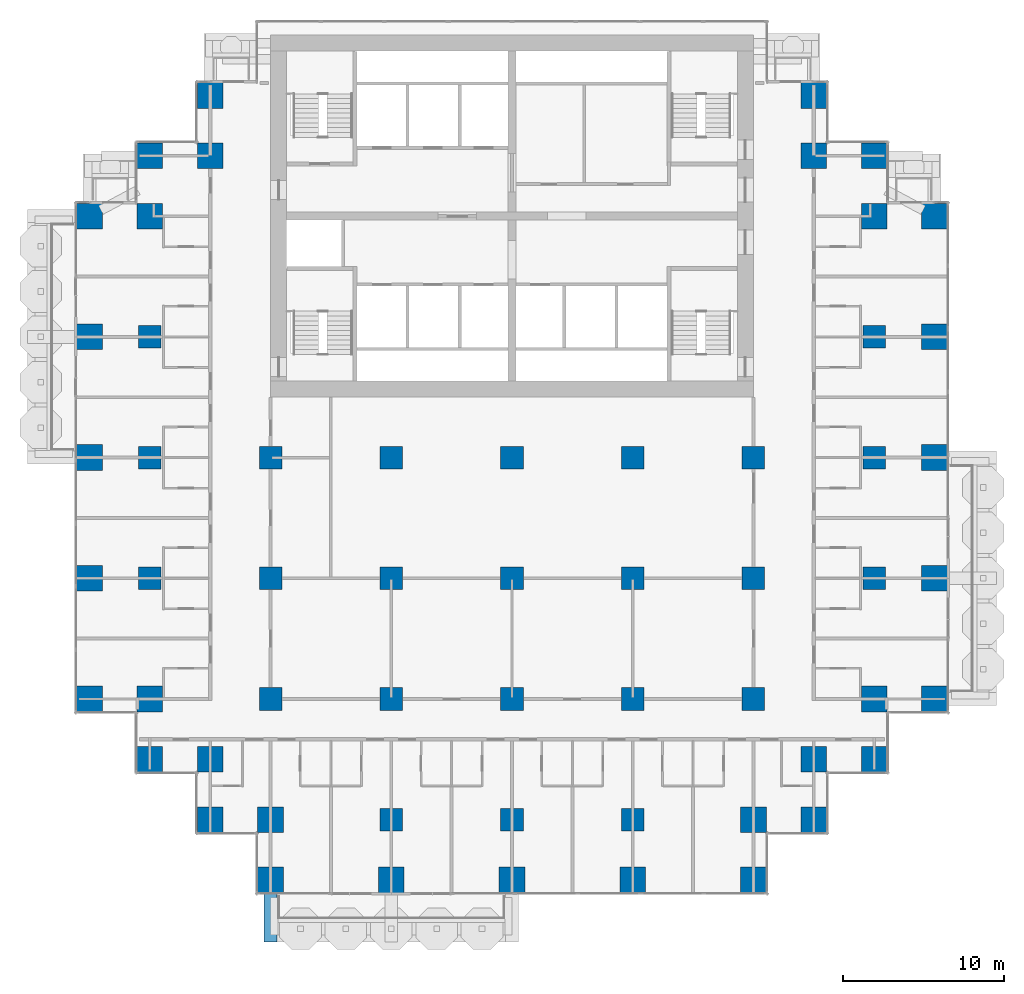
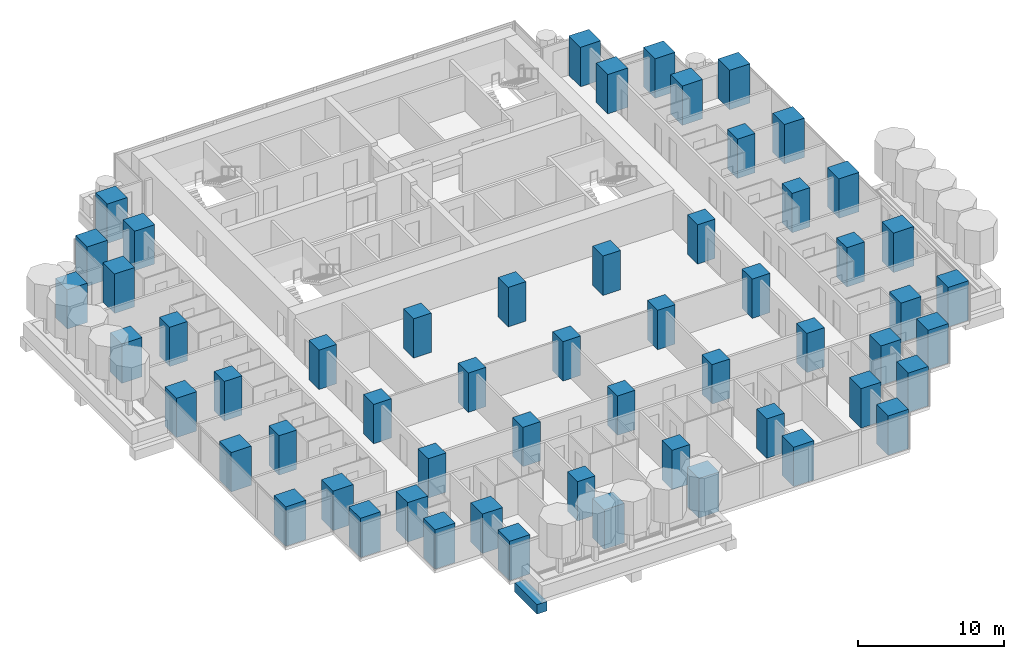
# One storey, part 1 of 18: 57 columns, 1 beam.
"""IFC4 building model written with IfcOpenShell, lengths in metres."""

from ifc_helpers import new_model, si_unit, direction, frame, origin, origin_2d, place, context, subcontext, project, spatial, rectangle, extrude, material, material_profile, profile_set, type_object, element, save


model = new_model("IFC4")

# Units and contexts
model_context = context("Model", 3, precision=1e-05, world=origin(), true_north=direction((0.0, 1.0)))
body_context = subcontext(model_context, "Body", "Model", "MODEL_VIEW")
ifc_project = project(units=[si_unit("LENGTHUNIT", "METRE"), si_unit("AREAUNIT", "SQUARE_METRE"), si_unit("VOLUMEUNIT", "CUBIC_METRE"), si_unit("PLANEANGLEUNIT", "RADIAN"), si_unit("MASSUNIT", "GRAM", prefix="KILO")], contexts=[model_context])

# Site, building, storey
site_placement = place(None, origin())
site = spatial("IfcSite", under=ifc_project, at=site_placement, CompositionType="ELEMENT")
building_placement = place(site_placement, origin())
building = spatial("IfcBuilding", under=site, at=building_placement, Name="Pilkhan Gate Tower", CompositionType="ELEMENT")
storey_placement = place(building_placement, frame((0.0, 0.0, 42.800048828125)))
storey = spatial("IfcBuildingStorey", under=building, at=storey_placement, Name="L07", CompositionType="ELEMENT", Elevation=42.800048828125)

# Columns
ifc_material_1 = material(Name="Concrete C70/85", Category="concrete")
ifc_material_profile_1 = material_profile(ifc_material_1, rectangle(XDim=1.39990234375, YDim=1.39990234375, at=origin_2d()), Name="RC 1400x1400")
ifc_profile_set_1 = profile_set([ifc_material_profile_1], Name="Concrete C70/85")
column_type_1 = type_object("IfcColumnType", Name="Column C140 RC 1400x1400 C70/85", PredefinedType="COLUMN", material=ifc_profile_set_1)
for number, where, z_axis, x_axis, name in (
    (1, (52.5, 60.0, 0.0), (0.0, 0.0, 1.0), (1.0, 0.0, 0.0), "Column 5/F L07"),
    (2, (52.5, 67.5, 0.0), (0.0, 0.0, 1.0), (1.0, 0.0, 0.0), "Column 5/H L07"),
    (3, (52.5, 75.0, 0.0), (0.0, 0.0, 1.0), (1.0, 0.0, 0.0), "Column 5/K L07"),
    (4, (60.0, 52.5, 0.0), (0.0, 0.0, 1.0), (1.0, 0.0, 0.0), "Column 7/D L07"),
    (5, (60.0, 60.0, 0.0), (0.0, 0.0, 1.0), (1.0, 0.0, 0.0), "Column 7/F L07"),
    (6, (60.0, 67.5, 0.0), (0.0, 0.0, 1.0), (1.0, 0.0, 0.0), "Column 7/H L07"),
    (7, (67.5, 45.0, 0.0), (0.0, 0.0, 1.0), (1.0, 0.0, 0.0), "Column 9/B L07"),
    (8, (67.5, 52.5, 0.0), (0.0, 0.0, 1.0), (1.0, 0.0, 0.0), "Column 9/D L07"),
    (9, (67.5, 60.0, 0.0), (0.0, 0.0, 1.0), (1.0, 0.0, 0.0), "Column 9/F L07"),
    (10, (67.5, 67.5, 0.0), (0.0, 0.0, 1.0), (1.0, 0.0, 0.0), "Column 9/H L07"),
    (11, (75.0, 45.0, 0.0), (0.0, 0.0, 1.0), (1.0, 0.0, 0.0), "Column 11/B L07"),
    (12, (75.0, 52.5, 0.0), (0.0, 0.0, 1.0), (1.0, 0.0, 0.0), "Column 11/D L07"),
    (13, (75.0, 60.0, 0.0), (0.0, 0.0, 1.0), (1.0, 0.0, 0.0), "Column 11/F L07"),
    (14, (75.0, 67.5, 0.0), (0.0, 0.0, 1.0), (1.0, 0.0, 0.0), "Column 11/H L07"),
    (15, (82.5, 45.0, 0.0), (0.0, 0.0, 1.0), (1.0, 0.0, 0.0), "Column 13/B L07"),
    (16, (82.5, 52.5, 0.0), (0.0, 0.0, 1.0), (1.0, 0.0, 0.0), "Column 13/D L07"),
    (17, (82.5, 60.0, 0.0), (0.0, 0.0, 1.0), (1.0, 0.0, 0.0), "Column 13/F L07"),
    (18, (82.5, 67.5, 0.0), (0.0, 0.0, 1.0), (1.0, 0.0, 0.0), "Column 13/H L07"),
    (19, (90.0, 52.5, 0.0), (0.0, 0.0, 1.0), (1.0, 0.0, 0.0), "Column 15/D L07"),
    (20, (90.0, 60.0, 0.0), (0.0, 0.0, 1.0), (1.0, 0.0, 0.0), "Column 15/F L07"),
    (21, (90.0, 67.5, 0.0), (0.0, 0.0, 1.0), (1.0, 0.0, 0.0), "Column 15/H L07"),
    (22, (97.5, 60.0, 0.0), (0.0, 0.0, 1.0), (1.0, 0.0, 0.0), "Column 17/F L07"),
    (23, (97.5, 67.5, 0.0), (0.0, 0.0, 1.0), (1.0, 0.0, 0.0), "Column 17/H L07"),
    (24, (97.5, 75.0, 0.0), (0.0, 0.0, 1.0), (1.0, 0.0, 0.0), "Column 17/K L07"),
):
    element("IfcColumn", number, at=place(storey_placement, frame(where, z_axis=z_axis, x_axis=x_axis)), inside=storey, type_object=column_type_1, Name=name, PredefinedType="COLUMN", context=body_context, shape_type="SweptSolid", body=[
        extrude(rectangle(XDim=1.39990234375, YDim=1.39990234375, at=origin_2d()), origin(), (0.0, 0.0, 1.0), 3.300048828125),
    ])
ifc_material_profile_2 = material_profile(ifc_material_1, rectangle(XDim=1.60009765625, YDim=1.60009765625, at=origin_2d()), Name="RC 1600x1600")
ifc_profile_set_2 = profile_set([ifc_material_profile_2], Name="Concrete C70/85")
column_type_2 = type_object("IfcColumnType", Name="Column C160 RC 1600x1600 C70/85", PredefinedType="COLUMN", material=ifc_profile_set_2)
for number, where, z_axis, x_axis, name in (
    (25, (48.75, 52.5, 0.0), (0.0, 0.0, 1.0), (1.0, 0.0, 0.0), "Column 4/D L07"),
    (26, (48.75, 60.0, 0.0), (0.0, 0.0, 1.0), (1.0, 0.0, 0.0), "Column 4/F L07"),
    (27, (48.75, 67.5, 0.0), (0.0, 0.0, 1.0), (1.0, 0.0, 0.0), "Column 4/H L07"),
    (28, (48.75, 75.0, 0.0), (0.0, 0.0, 1.0), (1.0, 0.0, 0.0), "Column 4/K L07"),
    (29, (48.75, 82.5, 0.0), (0.0, 0.0, 1.0), (1.0, 0.0, 0.0), "Column 4/M L07"),
    (30, (52.5, 48.75, 0.0), (0.0, 0.0, 1.0), (1.0, 0.0, 0.0), "Column 5/C L07"),
    (31, (52.5, 52.5, 0.0), (0.0, 0.0, 1.0), (1.0, 0.0, 0.0), "Column 5/D L07"),
    (32, (52.5, 82.5, 0.0), (0.0, 0.0, 1.0), (1.0, 0.0, 0.0), "Column 5/M L07"),
    (33, (52.5, 86.25, 0.0), (0.0, 0.0, 1.0), (1.0, 0.0, 0.0), "Column 5/N L07"),
    (34, (56.25, 45.0, 0.0), (0.0, 0.0, 1.0), (1.0, 0.0, 0.0), "Column 6/B L07"),
    (35, (56.25, 48.75, 0.0), (0.0, 0.0, 1.0), (1.0, 0.0, 0.0), "Column 6/C L07"),
    (36, (56.25, 86.25, 0.0), (0.0, 0.0, 1.0), (1.0, 0.0, 0.0), "Column 6/N L07"),
    (37, (56.25, 90.0, 0.0), (0.0, 0.0, 1.0), (1.0, 0.0, 0.0), "Column 6/P L07"),
    (38, (60.0, 41.25, 0.0), (0.0, 0.0, 1.0), (1.0, 0.0, 0.0), "Column 7/A L07"),
    (39, (60.0, 45.0, 0.0), (0.0, 0.0, 1.0), (1.0, 0.0, 0.0), "Column 7/B L07"),
    (40, (67.5, 41.25, 0.0), (0.0, 0.0, 1.0), (1.0, 0.0, 0.0), "Column 9/A L07"),
    (41, (75.0, 41.25, 0.0), (0.0, 0.0, 1.0), (1.0, 0.0, 0.0), "Column 11/A L07"),
    (42, (82.5, 41.25, 0.0), (0.0, 0.0, 1.0), (1.0, 0.0, 0.0), "Column 13/A L07"),
    (43, (90.0, 41.25, 0.0), (0.0, 0.0, 1.0), (1.0, 0.0, 0.0), "Column 15/A L07"),
    (44, (90.0, 45.0, 0.0), (0.0, 0.0, 1.0), (1.0, 0.0, 0.0), "Column 15/B L07"),
    (45, (93.75, 45.0, 0.0), (0.0, 0.0, 1.0), (1.0, 0.0, 0.0), "Column 16/B L07"),
    (46, (93.75, 48.75, 0.0), (0.0, 0.0, 1.0), (1.0, 0.0, 0.0), "Column 16/C L07"),
    (47, (93.75, 86.25, 0.0), (0.0, 0.0, 1.0), (1.0, 0.0, 0.0), "Column 16/N L07"),
    (48, (93.75, 90.0, 0.0), (0.0, 0.0, 1.0), (1.0, 0.0, 0.0), "Column 16/P L07"),
    (49, (97.5, 48.75, 0.0), (0.0, 0.0, 1.0), (1.0, 0.0, 0.0), "Column 17/C L07"),
    (50, (97.5, 52.5, 0.0), (0.0, 0.0, 1.0), (1.0, 0.0, 0.0), "Column 17/D L07"),
    (51, (97.5, 82.5, 0.0), (0.0, 0.0, 1.0), (1.0, 0.0, 0.0), "Column 17/M L07"),
    (52, (97.5, 86.25, 0.0), (0.0, 0.0, 1.0), (1.0, 0.0, 0.0), "Column 17/N L07"),
    (53, (101.25, 52.5, 0.0), (0.0, 0.0, 1.0), (1.0, 0.0, 0.0), "Column 18/D L07"),
    (54, (101.25, 60.0, 0.0), (0.0, 0.0, 1.0), (1.0, 0.0, 0.0), "Column 18/F L07"),
    (55, (101.25, 67.5, 0.0), (0.0, 0.0, 1.0), (1.0, 0.0, 0.0), "Column 18/H L07"),
    (56, (101.25, 75.0, 0.0), (0.0, 0.0, 1.0), (1.0, 0.0, 0.0), "Column 18/K L07"),
    (57, (101.25, 82.5, 0.0), (0.0, 0.0, 1.0), (1.0, 0.0, 0.0), "Column 18/M L07"),
):
    element("IfcColumn", number, at=place(storey_placement, frame(where, z_axis=z_axis, x_axis=x_axis)), inside=storey, type_object=column_type_2, Name=name, PredefinedType="COLUMN", context=body_context, shape_type="SweptSolid", body=[
        extrude(rectangle(XDim=1.60009765625, YDim=1.60009765625, at=origin_2d()), origin(), (0.0, 0.0, 1.0), 3.300048828125),
    ])

# Beam
ifc_material_2 = material(Name="Concrete C50/60", Category="concrete")
ifc_material_profile_3 = material_profile(ifc_material_2, rectangle(XDim=0.800048828125, YDim=0.800048828125, at=origin_2d()), Name="RC 800x800")
ifc_profile_set_3 = profile_set([ifc_material_profile_3], Name="Concrete C50/60")
beam_type = type_object("IfcBeamType", Name="Cantilever beam CB2 RC 800x800 C50/60", PredefinedType="BEAM", material=ifc_profile_set_3)
beam_placement = place(storey_placement, frame((60.0, 40.449951171875, -0.699951171875), z_axis=(0.0, -1.0, 0.0), x_axis=(1.0, 0.0, 0.0)))
element("IfcBeam", 58, at=beam_placement, inside=storey, type_object=beam_type, Name="Balcony beam S.1 L07", PredefinedType="BEAM", context=body_context, shape_type="SweptSolid", body=[
    extrude(rectangle(XDim=0.800048828125, YDim=0.800048828125, at=origin_2d()), origin(), (0.0, 0.0, 1.0), 3.050048828125),
])

save(model, "model.ifc")
